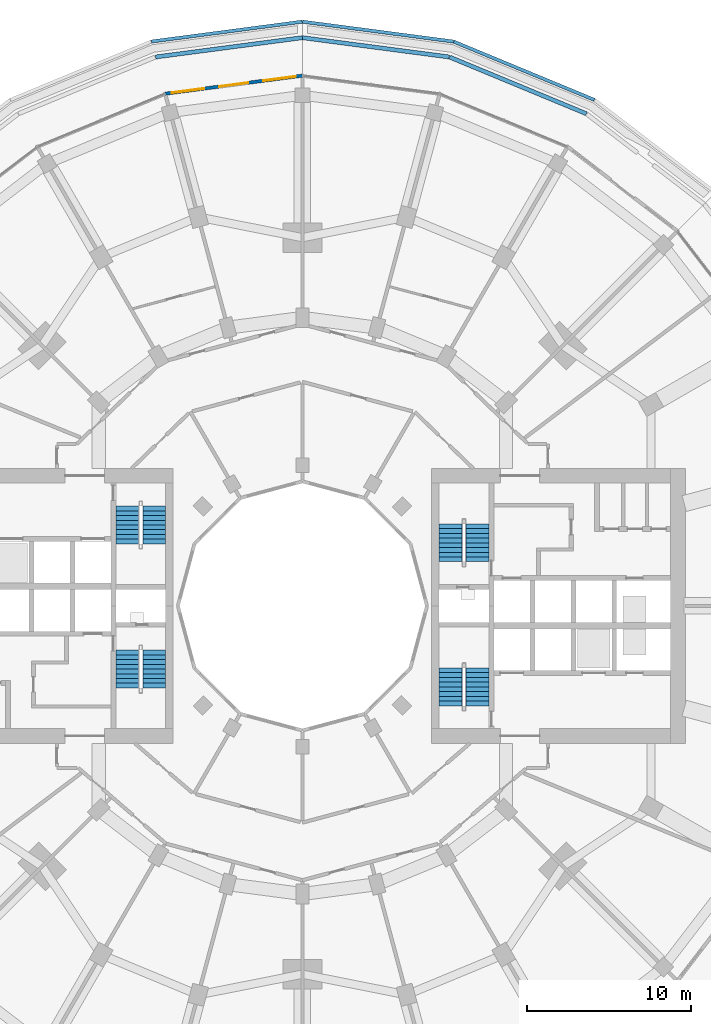
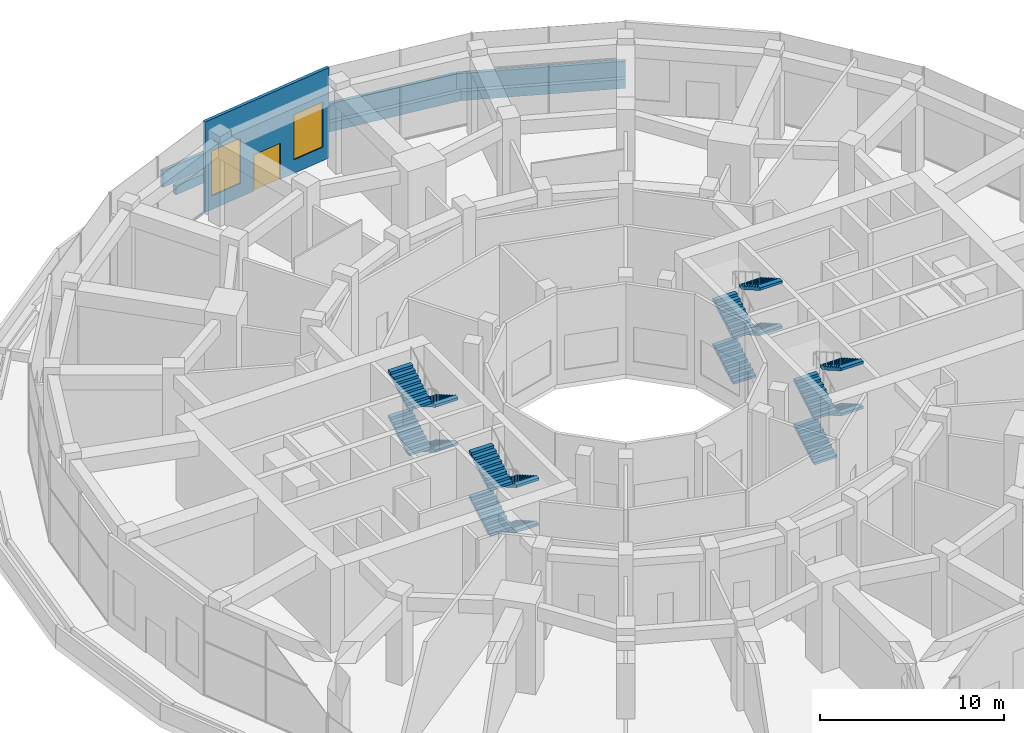
# One storey, part 21 of 23: 16 stair flights, 7 walls, 2 windows, 1 door, 3 openings, 4 elements without a shape of their own.
"""IFC4 building model written with IfcOpenShell, lengths in metres."""

from ifc_helpers import new_model, si_unit, direction, frame, frame_2d, origin, place, context, subcontext, project, spatial, polyline, rectangle, outline, extrude, material, layer, layer_set, type_object, element, fill, aggregate, save


model = new_model("IFC4")

# Units and contexts
model_context = context("Model", 3, precision=1e-05, world=origin(), true_north=direction((0.0, 1.0)))
body_context = subcontext(model_context, "Body", "Model", "MODEL_VIEW")
ifc_project = project(units=[si_unit("LENGTHUNIT", "METRE"), si_unit("AREAUNIT", "SQUARE_METRE"), si_unit("VOLUMEUNIT", "CUBIC_METRE"), si_unit("PLANEANGLEUNIT", "RADIAN"), si_unit("MASSUNIT", "GRAM", prefix="KILO")], contexts=[model_context])

# Site, building, storey
site_placement = place(None, origin())
site = spatial("IfcSite", under=ifc_project, at=site_placement, CompositionType="ELEMENT")
building_placement = place(site_placement, origin())
building = spatial("IfcBuilding", under=site, at=building_placement, Name="Torre Brocal", CompositionType="ELEMENT")
storey_placement = place(building_placement, frame((0.0, 0.0, 17.800048828125)))
storey = spatial("IfcBuildingStorey", under=building, at=storey_placement, Name="L03", CompositionType="ELEMENT", Elevation=17.800048828125)

# Wall, openings, windows, door
ifc_material_1 = material(Name="Concrete C40", Category="concrete")
ifc_layer_1 = layer(ifc_material_1, 0.199951171875)
ifc_layer_set_1 = layer_set([ifc_layer_1], Name="Concrete C40")
wall_type_1 = type_object("IfcWallType", Name="EXTERNAL WALL 200", PredefinedType="NOTDEFINED", material=ifc_layer_set_1)
wall_1_placement = place(storey_placement, frame((80.0, 107.399169921875, 0.0), z_axis=(0.0, 0.0, 1.0), x_axis=(-0.991444369534, -0.130529928059, 0.0)))
wall_1 = element("IfcWall", 1, at=wall_1_placement, inside=storey, type_object=wall_type_1, Name="EXTERNAL WALL", PredefinedType="NOTDEFINED", context=body_context, shape_type="SweptSolid", body=[
    extrude(rectangle(XDim=8.457763671875, YDim=0.199951171875, at=frame_2d((4.22900390625, 0.0))), origin(), (0.0, 0.0, 1.0), 6.0),
])
opening_1_placement = place(wall_1_placement, frame((0.40966796875, 0.0, 0.89990234375)))
opening_1 = element("IfcOpeningElement", 2, at=opening_1_placement, cuts=wall_1, Name="Opening W7", PredefinedType="OPENING", context=body_context, shape_type="SweptSolid", body=[
    extrude(rectangle(XDim=2.0, YDim=3.0, at=frame_2d((1.0, 1.5))), frame((0.0, 0.10986328125, 0.0), z_axis=(0.0, -1.0, 0.0), x_axis=(1.0, 0.0, 0.0)), (0.0, 0.0, 1.0), 0.219970703125),
])
opening_2_placement = place(wall_1_placement, frame((3.328857421875, 0.0, 0.0)))
opening_2 = element("IfcOpeningElement", 3, at=opening_2_placement, cuts=wall_1, Name="Opening L03-E03", PredefinedType="OPENING", context=body_context, shape_type="SweptSolid", body=[
    extrude(rectangle(XDim=1.800048828125, YDim=2.39990234375, at=frame_2d((0.89990234375, 1.199951171875))), frame((0.0, 0.10986328125, 0.0), z_axis=(0.0, -1.0, 0.0), x_axis=(1.0, 0.0, 0.0)), (0.0, 0.0, 1.0), 0.219970703125),
])
opening_3_placement = place(wall_1_placement, frame((6.04833984375, 0.0, 0.89990234375)))
opening_3 = element("IfcOpeningElement", 4, at=opening_3_placement, cuts=wall_1, Name="Opening W7", PredefinedType="OPENING", context=body_context, shape_type="SweptSolid", body=[
    extrude(rectangle(XDim=2.0, YDim=3.0, at=frame_2d((1.0, 1.5))), frame((0.0, 0.10986328125, 0.0), z_axis=(0.0, -1.0, 0.0), x_axis=(1.0, 0.0, 0.0)), (0.0, 0.0, 1.0), 0.219970703125),
])
ifc_material_2 = material(Name="Aluminium and glass", Category="aluminium")
window_type = type_object("IfcWindowType", Name="PODIUM WINDOW 2000X3000", PartitioningType="SINGLE_PANEL", PredefinedType="WINDOW", material=ifc_material_2)
window_1_placement = place(opening_1_placement, origin())
window_1 = element("IfcWindow", 5, at=window_1_placement, inside=storey, type_object=window_type, Name="PODIUM WINDOW 2000X3000", OverallHeight=3.0, OverallWidth=2.0, PartitioningType="SINGLE_PANEL", PredefinedType="WINDOW", context=body_context, shape_type="SweptSolid", body=[
    extrude(rectangle(XDim=2.0, YDim=3.0, at=frame_2d((1.0, 1.5))), frame((0.0, 0.030029296875, 0.0), z_axis=(0.0, -1.0, 0.0), x_axis=(1.0, 0.0, 0.0)), (0.0, 0.0, 1.0), 0.06005859375),
])
fill(opening_1, window_1)
window_2_placement = place(opening_3_placement, origin())
window_2 = element("IfcWindow", 6, at=window_2_placement, inside=storey, type_object=window_type, Name="PODIUM WINDOW 2000X3000", OverallHeight=3.0, OverallWidth=2.0, PartitioningType="SINGLE_PANEL", PredefinedType="WINDOW", context=body_context, shape_type="SweptSolid", body=[
    extrude(rectangle(XDim=2.0, YDim=3.0, at=frame_2d((1.0, 1.5))), frame((0.0, 0.030029296875, 0.0), z_axis=(0.0, -1.0, 0.0), x_axis=(1.0, 0.0, 0.0)), (0.0, 0.0, 1.0), 0.06005859375),
])
fill(opening_3, window_2)
ifc_material_3 = material(Name="Aluminium and glass", Category="aluminium")
door_type = type_object("IfcDoorType", Name="TERRACE DOUBLE DOOR 1800X2400", OperationType="DOUBLE_DOOR_SINGLE_SWING", PredefinedType="DOOR", material=ifc_material_3)
door_placement = place(opening_2_placement, frame((1.800048828125, 0.0, 0.0), z_axis=(0.0, 0.0, 1.0), x_axis=(-1.0, 0.0, 0.0)))
door = element("IfcDoor", 7, at=door_placement, inside=storey, type_object=door_type, Name="DOOR L03-E03", OperationType="DOUBLE_DOOR_SINGLE_SWING", OverallHeight=2.39990234375, OverallWidth=1.800048828125, PredefinedType="DOOR", context=body_context, shape_type="SweptSolid", body=[
    extrude(rectangle(XDim=1.800048828125, YDim=2.39990234375, at=frame_2d((0.89990234375, 1.199951171875))), frame((0.0, 0.02490234375, 0.0), z_axis=(0.0, -1.0, 0.0), x_axis=(1.0, 0.0, 0.0)), (0.0, 0.0, 1.0), 0.050048828125),
])
fill(opening_2, door)

# Walls
ifc_material_4 = material(Name="Concrete C40", Category="concrete")
ifc_layer_2 = layer(ifc_material_4, 0.199951171875)
ifc_layer_set_2 = layer_set([ifc_layer_2], Name="Concrete C40")
wall_type_2 = type_object("IfcWallType", Name="PARAPET WALL 200 THICK 1100 HIGH 2", PredefinedType="PARAPET", material=ifc_layer_set_2)
for number, where, z_axis, x_axis, name in (
    (8, (70.77392578125, 109.482666015625, 0.0), (0.0, 0.0, 1.0), (0.99144204025, 0.130547618995, 0.0), "PARAPET WALL 18"),
    (9, (80.012939453125, 110.69580078125, 0.0), (0.0, 0.0, 1.0), (0.99144204025, -0.130547618995, 0.0), "PARAPET WALL 19"),
):
    element("IfcWall", number, at=place(storey_placement, frame(where, z_axis=z_axis, x_axis=x_axis)), inside=storey, type_object=wall_type_2, Name=name, PredefinedType="PARAPET", context=body_context, shape_type="SweptSolid", body=[
        extrude(rectangle(XDim=9.292724609375, YDim=0.199951171875, at=frame_2d((4.646484375, 0.0))), origin(), (0.0, 0.0, 1.0), 1.099853515625),
    ])
wall_2_placement = place(storey_placement, frame((89.251220703125, 109.47607421875, 0.0), z_axis=(0.0, 0.0, 1.0), x_axis=(0.923877859786, -0.382687470657, 0.0)))
element("IfcWall", 10, at=wall_2_placement, inside=storey, type_object=wall_type_2, Name="PARAPET WALL 20", PredefinedType="PARAPET", context=body_context, shape_type="SweptSolid", body=[
    extrude(rectangle(XDim=9.29248046875, YDim=0.199951171875, at=frame_2d((4.646240234375, 0.0))), origin(), (0.0, 0.0, 1.0), 1.099853515625),
])
ifc_material_5 = material(Name="Concrete C35", Category="concrete")
ifc_layer_3 = layer(ifc_material_5, 0.25)
ifc_layer_set_3 = layer_set([ifc_layer_3], Name="Concrete C35")
wall_type_3 = type_object("IfcWallType", Name="PLANTER WALL 250 THICK 600 HIGH 2", PredefinedType="USERDEFINED", material=ifc_layer_set_3)
wall_3_placement = place(storey_placement, frame((80.0, 109.718994140625, 0.0), z_axis=(0.0, 0.0, 1.0), x_axis=(0.991444556719, -0.130528506283, 0.0)))
element("IfcWall", 11, at=wall_3_placement, inside=storey, type_object=wall_type_3, Name="PLANTER", ObjectType="PLANTER", PredefinedType="USERDEFINED", context=body_context, shape_type="SweptSolid", body=[
    extrude(rectangle(XDim=9.047119140625, YDim=0.25, at=frame_2d((4.5234375, 0.0))), origin(), (0.0, 0.0, 1.0), 0.599853515625),
])
wall_4_placement = place(storey_placement, frame((89.001220703125, 108.52978515625, 0.0), z_axis=(0.0, 0.0, 1.0), x_axis=(0.92386920981, -0.38270835262, 0.0)))
element("IfcWall", 12, at=wall_4_placement, inside=storey, type_object=wall_type_3, Name="PLANTER", ObjectType="PLANTER", PredefinedType="USERDEFINED", context=body_context, shape_type="SweptSolid", body=[
    extrude(rectangle(XDim=9.030517578125, YDim=0.25, at=frame_2d((4.51513671875, 0.0))), origin(), (0.0, 0.0, 1.0), 0.599853515625),
])
wall_5_placement = place(storey_placement, frame((71.0302734375, 108.5380859375, 0.0), z_axis=(0.0, 0.0, 1.0), x_axis=(0.991444556719, 0.130528506283, 0.0)))
element("IfcWall", 13, at=wall_5_placement, inside=storey, type_object=wall_type_3, Name="PLANTER", ObjectType="PLANTER", PredefinedType="USERDEFINED", context=body_context, shape_type="SweptSolid", body=[
    extrude(rectangle(XDim=9.047119140625, YDim=0.25, at=frame_2d((4.5234375, 0.0))), origin(), (0.0, 0.0, 1.0), 0.599853515625),
])

# Stair, stair flights
ifc_material_6 = material(Name="Concrete C50", Category="concrete")
stair_type = type_object("IfcStairType", Name="EXIT STAIR", PredefinedType="HALF_TURN_STAIR", material=ifc_material_6)
stair_1_placement = place(storey_placement, origin())
stair_1 = element("IfcStair", 14, at=stair_1_placement, inside=storey, type_object=stair_type, Name="EXIT STAIR ST1", PredefinedType="HALF_TURN_STAIR")
ifc_material_7 = material(Name="Concrete C50", Category="concrete")
ifc_layer_4 = layer(ifc_material_7, 0.14990234375)
ifc_layer_set_4 = layer_set([ifc_layer_4], Name="Concrete C50")
stair_flight_type = type_object("IfcStairFlightType", Name="STAIR FLIGHT", PredefinedType="STRAIGHT", material=ifc_layer_set_4)
stair_flight_1_placement = place(storey_placement, frame((89.050048828125, 77.699951171875, 0.0), z_axis=(0.0, 0.0, 1.0), x_axis=(0.0, 1.0, 0.0)))
stair_flight_1 = element("IfcStairFlight", 15, at=stair_flight_1_placement, type_object=stair_flight_type, Name="ST1 flight 1", NumberOfRisers=9, NumberOfTreads=8, PredefinedType="STRAIGHT", RiserHeight=0.166666667, TreadLength=0.289, context=body_context, shape_type="SweptSolid", body=[
    extrude(outline(polyline([(0.0, 0.0), (0.0, 0.166748046875), (0.2890625, 0.166748046875), (0.2890625, 0.333251953125), (0.577880859375, 0.333251953125), (0.577880859375, 0.5), (0.866943359375, 0.5), (0.866943359375, 0.666748046875), (1.156005859375, 0.666748046875), (1.156005859375, 0.833251953125), (1.445068359375, 0.833251953125), (1.445068359375, 1.0), (1.73388671875, 1.0), (1.73388671875, 1.166748046875), (2.02294921875, 1.166748046875), (2.02294921875, 1.333251953125), (2.31201171875, 1.333251953125), (2.31201171875, 1.5), (2.31201171875, 1.160400390625), (0.300048828125, 0.0), (0.0, 0.0)])), frame((0.0, 0.699951171875, 0.0), z_axis=(0.0, -1.0, 0.0), x_axis=(1.0, 0.0, 0.0)), (0.0, 0.0, 1.0), 1.39990234375),
])
stair_flight_2_placement = place(storey_placement, frame((90.699951171875, 80.011962890625, 1.5), z_axis=(0.0, 0.0, 1.0), x_axis=(0.0, -1.0, 0.0)))
stair_flight_2 = element("IfcStairFlight", 16, at=stair_flight_2_placement, type_object=stair_flight_type, Name="ST1 flight 2", NumberOfRisers=9, NumberOfTreads=8, PredefinedType="STRAIGHT", RiserHeight=0.166666667, TreadLength=0.289, context=body_context, shape_type="SweptSolid", body=[
    extrude(outline(polyline([(0.0, 0.0), (0.0, 0.166748046875), (0.2890625, 0.166748046875), (0.2890625, 0.333251953125), (0.577880859375, 0.333251953125), (0.577880859375, 0.5), (0.866943359375, 0.5), (0.866943359375, 0.666748046875), (1.156005859375, 0.666748046875), (1.156005859375, 0.833251953125), (1.445068359375, 0.833251953125), (1.445068359375, 1.0), (1.73388671875, 1.0), (1.73388671875, 1.166748046875), (2.02294921875, 1.166748046875), (2.02294921875, 1.333251953125), (2.31201171875, 1.333251953125), (2.31201171875, 1.5), (2.31201171875, 1.160400390625), (0.300048828125, 0.0), (0.0, 0.0)])), frame((0.0, 0.699951171875, 0.0), z_axis=(0.0, -1.0, 0.0), x_axis=(1.0, 0.0, 0.0)), (0.0, 0.0, 1.0), 1.39990234375),
])
stair_flight_3_placement = place(storey_placement, frame((89.050048828125, 77.699951171875, 3.0), z_axis=(0.0, 0.0, 1.0), x_axis=(0.0, 1.0, 0.0)))
stair_flight_3 = element("IfcStairFlight", 17, at=stair_flight_3_placement, type_object=stair_flight_type, Name="ST1 flight 3", NumberOfRisers=9, NumberOfTreads=8, PredefinedType="STRAIGHT", RiserHeight=0.166666667, TreadLength=0.289, context=body_context, shape_type="SweptSolid", body=[
    extrude(outline(polyline([(0.0, 0.0), (0.0, 0.166748046875), (0.2890625, 0.166748046875), (0.2890625, 0.333251953125), (0.577880859375, 0.333251953125), (0.577880859375, 0.5), (0.866943359375, 0.5), (0.866943359375, 0.666748046875), (1.156005859375, 0.666748046875), (1.156005859375, 0.833251953125), (1.445068359375, 0.833251953125), (1.445068359375, 1.0), (1.73388671875, 1.0), (1.73388671875, 1.166748046875), (2.02294921875, 1.166748046875), (2.02294921875, 1.333251953125), (2.31201171875, 1.333251953125), (2.31201171875, 1.5), (2.31201171875, 1.160400390625), (0.300048828125, 0.0), (0.0, 0.0)])), frame((0.0, 0.699951171875, 0.0), z_axis=(0.0, -1.0, 0.0), x_axis=(1.0, 0.0, 0.0)), (0.0, 0.0, 1.0), 1.39990234375),
])
stair_flight_4_placement = place(storey_placement, frame((90.699951171875, 80.011962890625, 4.5), z_axis=(0.0, 0.0, 1.0), x_axis=(0.0, -1.0, 0.0)))
stair_flight_4 = element("IfcStairFlight", 18, at=stair_flight_4_placement, type_object=stair_flight_type, Name="ST1 flight 4", NumberOfRisers=9, NumberOfTreads=8, PredefinedType="STRAIGHT", RiserHeight=0.166666667, TreadLength=0.289, context=body_context, shape_type="SweptSolid", body=[
    extrude(outline(polyline([(0.0, 0.0), (0.0, 0.166748046875), (0.2890625, 0.166748046875), (0.2890625, 0.333251953125), (0.577880859375, 0.333251953125), (0.577880859375, 0.5), (0.866943359375, 0.5), (0.866943359375, 0.666748046875), (1.156005859375, 0.666748046875), (1.156005859375, 0.833251953125), (1.445068359375, 0.833251953125), (1.445068359375, 1.0), (1.73388671875, 1.0), (1.73388671875, 1.166748046875), (2.02294921875, 1.166748046875), (2.02294921875, 1.333251953125), (2.31201171875, 1.333251953125), (2.31201171875, 1.5), (2.31201171875, 1.160400390625), (0.300048828125, 0.0), (0.0, 0.0)])), frame((0.0, 0.699951171875, 0.0), z_axis=(0.0, -1.0, 0.0), x_axis=(1.0, 0.0, 0.0)), (0.0, 0.0, 1.0), 1.39990234375),
])
aggregate(stair_1, [stair_flight_1, stair_flight_2, stair_flight_3, stair_flight_4])

stair_2_placement = place(storey_placement, origin())
stair_2 = element("IfcStair", 19, at=stair_2_placement, inside=storey, type_object=stair_type, Name="EXIT STAIR ST2", PredefinedType="HALF_TURN_STAIR")
stair_flight_5_placement = place(storey_placement, frame((89.050048828125, 68.89990234375, 0.0), z_axis=(0.0, 0.0, 1.0), x_axis=(0.0, 1.0, 0.0)))
stair_flight_5 = element("IfcStairFlight", 20, at=stair_flight_5_placement, type_object=stair_flight_type, Name="ST2 flight 1", NumberOfRisers=9, NumberOfTreads=8, PredefinedType="STRAIGHT", RiserHeight=0.166666667, TreadLength=0.289, context=body_context, shape_type="SweptSolid", body=[
    extrude(outline(polyline([(0.0, 0.0), (0.0, 0.166748046875), (0.2890625, 0.166748046875), (0.2890625, 0.333251953125), (0.577880859375, 0.333251953125), (0.577880859375, 0.5), (0.866943359375, 0.5), (0.866943359375, 0.666748046875), (1.156005859375, 0.666748046875), (1.156005859375, 0.833251953125), (1.445068359375, 0.833251953125), (1.445068359375, 1.0), (1.73388671875, 1.0), (1.73388671875, 1.166748046875), (2.02294921875, 1.166748046875), (2.02294921875, 1.333251953125), (2.31201171875, 1.333251953125), (2.31201171875, 1.5), (2.31201171875, 1.160400390625), (0.300048828125, 0.0), (0.0, 0.0)])), frame((0.0, 0.699951171875, 0.0), z_axis=(0.0, -1.0, 0.0), x_axis=(1.0, 0.0, 0.0)), (0.0, 0.0, 1.0), 1.39990234375),
])
stair_flight_6_placement = place(storey_placement, frame((90.699951171875, 71.2119140625, 1.5), z_axis=(0.0, 0.0, 1.0), x_axis=(0.0, -1.0, 0.0)))
stair_flight_6 = element("IfcStairFlight", 21, at=stair_flight_6_placement, type_object=stair_flight_type, Name="ST2 flight 2", NumberOfRisers=9, NumberOfTreads=8, PredefinedType="STRAIGHT", RiserHeight=0.166666667, TreadLength=0.289, context=body_context, shape_type="SweptSolid", body=[
    extrude(outline(polyline([(0.0, 0.0), (0.0, 0.166748046875), (0.2890625, 0.166748046875), (0.2890625, 0.333251953125), (0.577880859375, 0.333251953125), (0.577880859375, 0.5), (0.866943359375, 0.5), (0.866943359375, 0.666748046875), (1.156005859375, 0.666748046875), (1.156005859375, 0.833251953125), (1.445068359375, 0.833251953125), (1.445068359375, 1.0), (1.73388671875, 1.0), (1.73388671875, 1.166748046875), (2.02294921875, 1.166748046875), (2.02294921875, 1.333251953125), (2.31201171875, 1.333251953125), (2.31201171875, 1.5), (2.31201171875, 1.160400390625), (0.300048828125, 0.0), (0.0, 0.0)])), frame((0.0, 0.699951171875, 0.0), z_axis=(0.0, -1.0, 0.0), x_axis=(1.0, 0.0, 0.0)), (0.0, 0.0, 1.0), 1.39990234375),
])
stair_flight_7_placement = place(storey_placement, frame((89.050048828125, 68.89990234375, 3.0), z_axis=(0.0, 0.0, 1.0), x_axis=(0.0, 1.0, 0.0)))
stair_flight_7 = element("IfcStairFlight", 22, at=stair_flight_7_placement, type_object=stair_flight_type, Name="ST2 flight 3", NumberOfRisers=9, NumberOfTreads=8, PredefinedType="STRAIGHT", RiserHeight=0.166666667, TreadLength=0.289, context=body_context, shape_type="SweptSolid", body=[
    extrude(outline(polyline([(0.0, 0.0), (0.0, 0.166748046875), (0.2890625, 0.166748046875), (0.2890625, 0.333251953125), (0.577880859375, 0.333251953125), (0.577880859375, 0.5), (0.866943359375, 0.5), (0.866943359375, 0.666748046875), (1.156005859375, 0.666748046875), (1.156005859375, 0.833251953125), (1.445068359375, 0.833251953125), (1.445068359375, 1.0), (1.73388671875, 1.0), (1.73388671875, 1.166748046875), (2.02294921875, 1.166748046875), (2.02294921875, 1.333251953125), (2.31201171875, 1.333251953125), (2.31201171875, 1.5), (2.31201171875, 1.160400390625), (0.300048828125, 0.0), (0.0, 0.0)])), frame((0.0, 0.699951171875, 0.0), z_axis=(0.0, -1.0, 0.0), x_axis=(1.0, 0.0, 0.0)), (0.0, 0.0, 1.0), 1.39990234375),
])
stair_flight_8_placement = place(storey_placement, frame((90.699951171875, 71.2119140625, 4.5), z_axis=(0.0, 0.0, 1.0), x_axis=(0.0, -1.0, 0.0)))
stair_flight_8 = element("IfcStairFlight", 23, at=stair_flight_8_placement, type_object=stair_flight_type, Name="ST2 flight 4", NumberOfRisers=9, NumberOfTreads=8, PredefinedType="STRAIGHT", RiserHeight=0.166666667, TreadLength=0.289, context=body_context, shape_type="SweptSolid", body=[
    extrude(outline(polyline([(0.0, 0.0), (0.0, 0.166748046875), (0.2890625, 0.166748046875), (0.2890625, 0.333251953125), (0.577880859375, 0.333251953125), (0.577880859375, 0.5), (0.866943359375, 0.5), (0.866943359375, 0.666748046875), (1.156005859375, 0.666748046875), (1.156005859375, 0.833251953125), (1.445068359375, 0.833251953125), (1.445068359375, 1.0), (1.73388671875, 1.0), (1.73388671875, 1.166748046875), (2.02294921875, 1.166748046875), (2.02294921875, 1.333251953125), (2.31201171875, 1.333251953125), (2.31201171875, 1.5), (2.31201171875, 1.160400390625), (0.300048828125, 0.0), (0.0, 0.0)])), frame((0.0, 0.699951171875, 0.0), z_axis=(0.0, -1.0, 0.0), x_axis=(1.0, 0.0, 0.0)), (0.0, 0.0, 1.0), 1.39990234375),
])
aggregate(stair_2, [stair_flight_5, stair_flight_6, stair_flight_7, stair_flight_8])

stair_3_placement = place(storey_placement, origin())
stair_3 = element("IfcStair", 24, at=stair_3_placement, inside=storey, type_object=stair_type, Name="EXIT STAIR ST3", PredefinedType="HALF_TURN_STAIR")
stair_flight_9_placement = place(storey_placement, frame((70.949951171875, 72.300048828125, 0.0), z_axis=(0.0, 0.0, 1.0), x_axis=(0.0, -1.0, 0.0)))
stair_flight_9 = element("IfcStairFlight", 25, at=stair_flight_9_placement, type_object=stair_flight_type, Name="ST3 flight 1", NumberOfRisers=9, NumberOfTreads=8, PredefinedType="STRAIGHT", RiserHeight=0.166666667, TreadLength=0.289, context=body_context, shape_type="SweptSolid", body=[
    extrude(outline(polyline([(0.0, 0.0), (0.0, 0.166748046875), (0.2890625, 0.166748046875), (0.2890625, 0.333251953125), (0.577880859375, 0.333251953125), (0.577880859375, 0.5), (0.866943359375, 0.5), (0.866943359375, 0.666748046875), (1.156005859375, 0.666748046875), (1.156005859375, 0.833251953125), (1.445068359375, 0.833251953125), (1.445068359375, 1.0), (1.73388671875, 1.0), (1.73388671875, 1.166748046875), (2.02294921875, 1.166748046875), (2.02294921875, 1.333251953125), (2.31201171875, 1.333251953125), (2.31201171875, 1.5), (2.31201171875, 1.160400390625), (0.300048828125, 0.0), (0.0, 0.0)])), frame((0.0, 0.699951171875, 0.0), z_axis=(0.0, -1.0, 0.0), x_axis=(1.0, 0.0, 0.0)), (0.0, 0.0, 1.0), 1.39990234375),
])
stair_flight_10_placement = place(storey_placement, frame((69.300048828125, 69.988037109375, 1.5), z_axis=(0.0, 0.0, 1.0), x_axis=(0.0, 1.0, 0.0)))
stair_flight_10 = element("IfcStairFlight", 26, at=stair_flight_10_placement, type_object=stair_flight_type, Name="ST3 flight 2", NumberOfRisers=9, NumberOfTreads=8, PredefinedType="STRAIGHT", RiserHeight=0.166666667, TreadLength=0.289, context=body_context, shape_type="SweptSolid", body=[
    extrude(outline(polyline([(0.0, 0.0), (0.0, 0.166748046875), (0.2890625, 0.166748046875), (0.2890625, 0.333251953125), (0.577880859375, 0.333251953125), (0.577880859375, 0.5), (0.866943359375, 0.5), (0.866943359375, 0.666748046875), (1.156005859375, 0.666748046875), (1.156005859375, 0.833251953125), (1.445068359375, 0.833251953125), (1.445068359375, 1.0), (1.73388671875, 1.0), (1.73388671875, 1.166748046875), (2.02294921875, 1.166748046875), (2.02294921875, 1.333251953125), (2.31201171875, 1.333251953125), (2.31201171875, 1.5), (2.31201171875, 1.160400390625), (0.300048828125, 0.0), (0.0, 0.0)])), frame((0.0, 0.699951171875, 0.0), z_axis=(0.0, -1.0, 0.0), x_axis=(1.0, 0.0, 0.0)), (0.0, 0.0, 1.0), 1.39990234375),
])
stair_flight_11_placement = place(storey_placement, frame((70.949951171875, 72.300048828125, 3.0), z_axis=(0.0, 0.0, 1.0), x_axis=(0.0, -1.0, 0.0)))
stair_flight_11 = element("IfcStairFlight", 27, at=stair_flight_11_placement, type_object=stair_flight_type, Name="ST3 flight 3", NumberOfRisers=9, NumberOfTreads=8, PredefinedType="STRAIGHT", RiserHeight=0.166666667, TreadLength=0.289, context=body_context, shape_type="SweptSolid", body=[
    extrude(outline(polyline([(0.0, 0.0), (0.0, 0.166748046875), (0.2890625, 0.166748046875), (0.2890625, 0.333251953125), (0.577880859375, 0.333251953125), (0.577880859375, 0.5), (0.866943359375, 0.5), (0.866943359375, 0.666748046875), (1.156005859375, 0.666748046875), (1.156005859375, 0.833251953125), (1.445068359375, 0.833251953125), (1.445068359375, 1.0), (1.73388671875, 1.0), (1.73388671875, 1.166748046875), (2.02294921875, 1.166748046875), (2.02294921875, 1.333251953125), (2.31201171875, 1.333251953125), (2.31201171875, 1.5), (2.31201171875, 1.160400390625), (0.300048828125, 0.0), (0.0, 0.0)])), frame((0.0, 0.699951171875, 0.0), z_axis=(0.0, -1.0, 0.0), x_axis=(1.0, 0.0, 0.0)), (0.0, 0.0, 1.0), 1.39990234375),
])
stair_flight_12_placement = place(storey_placement, frame((69.300048828125, 69.988037109375, 4.5), z_axis=(0.0, 0.0, 1.0), x_axis=(0.0, 1.0, 0.0)))
stair_flight_12 = element("IfcStairFlight", 28, at=stair_flight_12_placement, type_object=stair_flight_type, Name="ST3 flight 4", NumberOfRisers=9, NumberOfTreads=8, PredefinedType="STRAIGHT", RiserHeight=0.166666667, TreadLength=0.289, context=body_context, shape_type="SweptSolid", body=[
    extrude(outline(polyline([(0.0, 0.0), (0.0, 0.166748046875), (0.2890625, 0.166748046875), (0.2890625, 0.333251953125), (0.577880859375, 0.333251953125), (0.577880859375, 0.5), (0.866943359375, 0.5), (0.866943359375, 0.666748046875), (1.156005859375, 0.666748046875), (1.156005859375, 0.833251953125), (1.445068359375, 0.833251953125), (1.445068359375, 1.0), (1.73388671875, 1.0), (1.73388671875, 1.166748046875), (2.02294921875, 1.166748046875), (2.02294921875, 1.333251953125), (2.31201171875, 1.333251953125), (2.31201171875, 1.5), (2.31201171875, 1.160400390625), (0.300048828125, 0.0), (0.0, 0.0)])), frame((0.0, 0.699951171875, 0.0), z_axis=(0.0, -1.0, 0.0), x_axis=(1.0, 0.0, 0.0)), (0.0, 0.0, 1.0), 1.39990234375),
])
aggregate(stair_3, [stair_flight_9, stair_flight_10, stair_flight_11, stair_flight_12])

stair_4_placement = place(storey_placement, origin())
stair_4 = element("IfcStair", 29, at=stair_4_placement, inside=storey, type_object=stair_type, Name="EXIT STAIR ST4", PredefinedType="HALF_TURN_STAIR")
stair_flight_13_placement = place(storey_placement, frame((70.949951171875, 81.10009765625, 0.0), z_axis=(0.0, 0.0, 1.0), x_axis=(0.0, -1.0, 0.0)))
stair_flight_13 = element("IfcStairFlight", 30, at=stair_flight_13_placement, type_object=stair_flight_type, Name="ST4 flight 1", NumberOfRisers=9, NumberOfTreads=8, PredefinedType="STRAIGHT", RiserHeight=0.166666667, TreadLength=0.289, context=body_context, shape_type="SweptSolid", body=[
    extrude(outline(polyline([(0.0, 0.0), (0.0, 0.166748046875), (0.2890625, 0.166748046875), (0.2890625, 0.333251953125), (0.577880859375, 0.333251953125), (0.577880859375, 0.5), (0.866943359375, 0.5), (0.866943359375, 0.666748046875), (1.156005859375, 0.666748046875), (1.156005859375, 0.833251953125), (1.445068359375, 0.833251953125), (1.445068359375, 1.0), (1.73388671875, 1.0), (1.73388671875, 1.166748046875), (2.02294921875, 1.166748046875), (2.02294921875, 1.333251953125), (2.31201171875, 1.333251953125), (2.31201171875, 1.5), (2.31201171875, 1.160400390625), (0.300048828125, 0.0), (0.0, 0.0)])), frame((0.0, 0.699951171875, 0.0), z_axis=(0.0, -1.0, 0.0), x_axis=(1.0, 0.0, 0.0)), (0.0, 0.0, 1.0), 1.39990234375),
])
stair_flight_14_placement = place(storey_placement, frame((69.300048828125, 78.7880859375, 1.5), z_axis=(0.0, 0.0, 1.0), x_axis=(0.0, 1.0, 0.0)))
stair_flight_14 = element("IfcStairFlight", 31, at=stair_flight_14_placement, type_object=stair_flight_type, Name="ST4 flight 2", NumberOfRisers=9, NumberOfTreads=8, PredefinedType="STRAIGHT", RiserHeight=0.166666667, TreadLength=0.289, context=body_context, shape_type="SweptSolid", body=[
    extrude(outline(polyline([(0.0, 0.0), (0.0, 0.166748046875), (0.2890625, 0.166748046875), (0.2890625, 0.333251953125), (0.577880859375, 0.333251953125), (0.577880859375, 0.5), (0.866943359375, 0.5), (0.866943359375, 0.666748046875), (1.156005859375, 0.666748046875), (1.156005859375, 0.833251953125), (1.445068359375, 0.833251953125), (1.445068359375, 1.0), (1.73388671875, 1.0), (1.73388671875, 1.166748046875), (2.02294921875, 1.166748046875), (2.02294921875, 1.333251953125), (2.31201171875, 1.333251953125), (2.31201171875, 1.5), (2.31201171875, 1.160400390625), (0.300048828125, 0.0), (0.0, 0.0)])), frame((0.0, 0.699951171875, 0.0), z_axis=(0.0, -1.0, 0.0), x_axis=(1.0, 0.0, 0.0)), (0.0, 0.0, 1.0), 1.39990234375),
])
stair_flight_15_placement = place(storey_placement, frame((70.949951171875, 81.10009765625, 3.0), z_axis=(0.0, 0.0, 1.0), x_axis=(0.0, -1.0, 0.0)))
stair_flight_15 = element("IfcStairFlight", 32, at=stair_flight_15_placement, type_object=stair_flight_type, Name="ST4 flight 3", NumberOfRisers=9, NumberOfTreads=8, PredefinedType="STRAIGHT", RiserHeight=0.166666667, TreadLength=0.289, context=body_context, shape_type="SweptSolid", body=[
    extrude(outline(polyline([(0.0, 0.0), (0.0, 0.166748046875), (0.2890625, 0.166748046875), (0.2890625, 0.333251953125), (0.577880859375, 0.333251953125), (0.577880859375, 0.5), (0.866943359375, 0.5), (0.866943359375, 0.666748046875), (1.156005859375, 0.666748046875), (1.156005859375, 0.833251953125), (1.445068359375, 0.833251953125), (1.445068359375, 1.0), (1.73388671875, 1.0), (1.73388671875, 1.166748046875), (2.02294921875, 1.166748046875), (2.02294921875, 1.333251953125), (2.31201171875, 1.333251953125), (2.31201171875, 1.5), (2.31201171875, 1.160400390625), (0.300048828125, 0.0), (0.0, 0.0)])), frame((0.0, 0.699951171875, 0.0), z_axis=(0.0, -1.0, 0.0), x_axis=(1.0, 0.0, 0.0)), (0.0, 0.0, 1.0), 1.39990234375),
])
stair_flight_16_placement = place(storey_placement, frame((69.300048828125, 78.7880859375, 4.5), z_axis=(0.0, 0.0, 1.0), x_axis=(0.0, 1.0, 0.0)))
stair_flight_16 = element("IfcStairFlight", 33, at=stair_flight_16_placement, type_object=stair_flight_type, Name="ST4 flight 4", NumberOfRisers=9, NumberOfTreads=8, PredefinedType="STRAIGHT", RiserHeight=0.166666667, TreadLength=0.289, context=body_context, shape_type="SweptSolid", body=[
    extrude(outline(polyline([(0.0, 0.0), (0.0, 0.166748046875), (0.2890625, 0.166748046875), (0.2890625, 0.333251953125), (0.577880859375, 0.333251953125), (0.577880859375, 0.5), (0.866943359375, 0.5), (0.866943359375, 0.666748046875), (1.156005859375, 0.666748046875), (1.156005859375, 0.833251953125), (1.445068359375, 0.833251953125), (1.445068359375, 1.0), (1.73388671875, 1.0), (1.73388671875, 1.166748046875), (2.02294921875, 1.166748046875), (2.02294921875, 1.333251953125), (2.31201171875, 1.333251953125), (2.31201171875, 1.5), (2.31201171875, 1.160400390625), (0.300048828125, 0.0), (0.0, 0.0)])), frame((0.0, 0.699951171875, 0.0), z_axis=(0.0, -1.0, 0.0), x_axis=(1.0, 0.0, 0.0)), (0.0, 0.0, 1.0), 1.39990234375),
])
aggregate(stair_4, [stair_flight_13, stair_flight_14, stair_flight_15, stair_flight_16])

save(model, "model.ifc")
